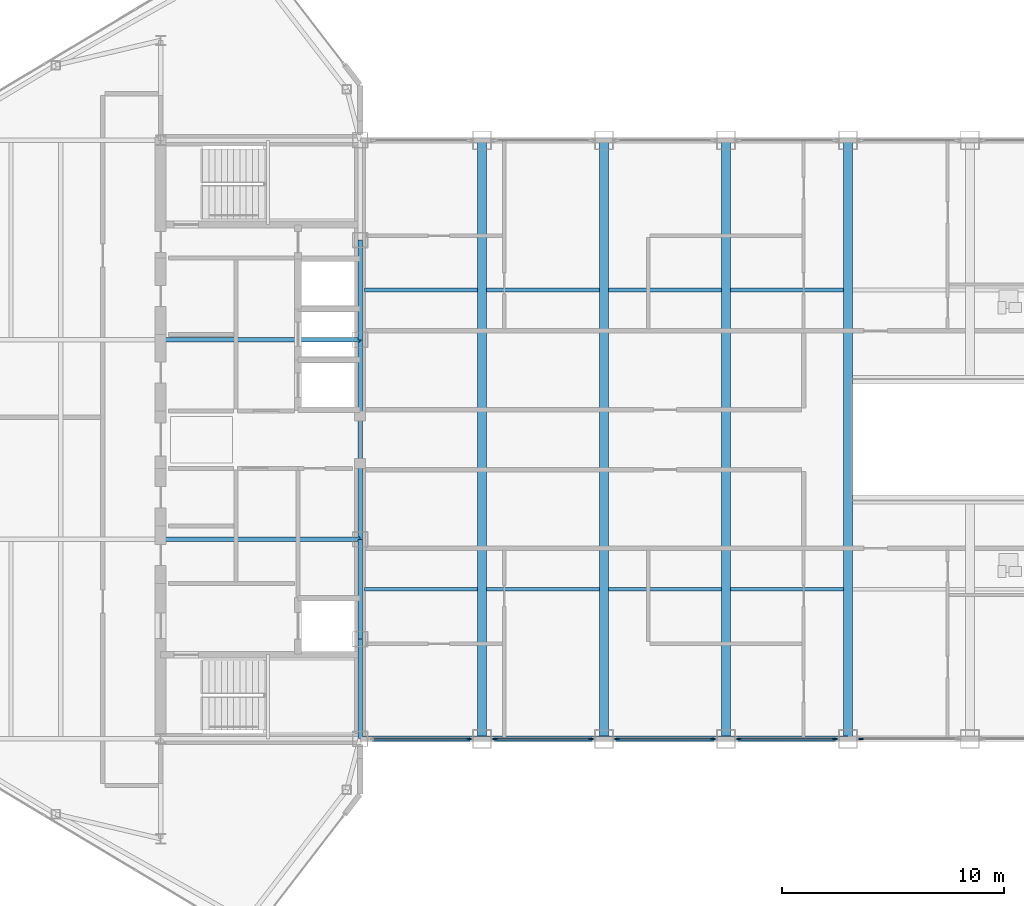
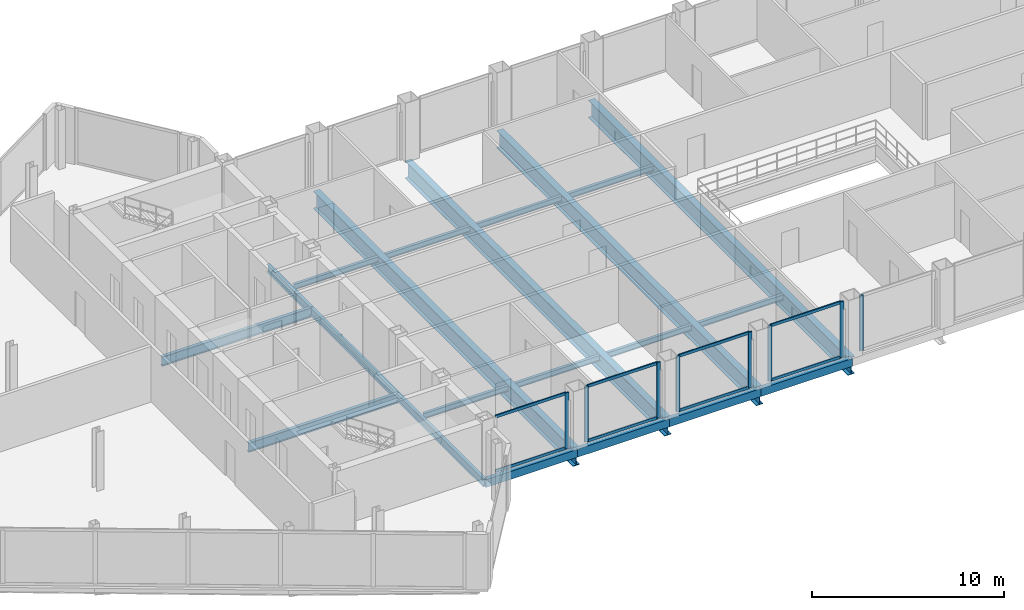
# One storey, part 10 of 29: 22 beams, 16 members, 5 elements without a shape of their own.
"""IFC4 building model written with IfcOpenShell, lengths in metres."""

from ifc_helpers import new_model, si_unit, direction, frame, origin, origin_2d, place, context, subcontext, project, spatial, rectangle, hollow_rectangle, i_section, extrude, source, transform, mapped, material, layer, layer_set, material_profile, profile_set, type_object, type_shapes, element, aggregate, save


model = new_model("IFC4")

# Units and contexts
model_context = context("Model", 3, precision=1e-05, world=origin(), true_north=direction((0.0, 1.0)))
body_context = subcontext(model_context, "Body", "Model", "MODEL_VIEW")
ifc_project = project(units=[si_unit("LENGTHUNIT", "METRE"), si_unit("AREAUNIT", "SQUARE_METRE"), si_unit("VOLUMEUNIT", "CUBIC_METRE"), si_unit("PLANEANGLEUNIT", "RADIAN"), si_unit("MASSUNIT", "GRAM", prefix="KILO")], contexts=[model_context])

# Site, building, storey
site_placement = place(None, origin())
site = spatial("IfcSite", under=ifc_project, at=site_placement, CompositionType="ELEMENT")
building_placement = place(site_placement, origin())
building = spatial("IfcBuilding", under=site, at=building_placement, Name="Seokmaru Belvedere", CompositionType="ELEMENT")
storey_placement = place(building_placement, frame((0.0, 0.0, 258.14990234375)))
storey = spatial("IfcBuildingStorey", under=building, at=storey_placement, Name="L68", CompositionType="ELEMENT", Elevation=258.14990234375)

# Beams
ifc_material_1 = material(Name="Steel SM355 (355 MPa)", Category="steel")
ifc_material_profile_1 = material_profile(ifc_material_1, i_section(OverallWidth=0.199951171875, OverallDepth=0.5, WebThickness=0.010009765625, FlangeThickness=0.01611328125, at=origin_2d()), Name="H-500x200x10x16")
ifc_profile_set_1 = profile_set([ifc_material_profile_1], Name="Steel SM355 (355 MPa)")
beam_type_1 = type_object("IfcBeamType", Name="Perimeter Spandrel Beam H-500", PredefinedType="SPANDREL", material=ifc_profile_set_1)
shared_shape_1 = source(origin(), body_context, "Body", "SweptSolid", [
    extrude(i_section(OverallWidth=0.199951171875, OverallDepth=0.5, WebThickness=0.010009765625, FlangeThickness=0.01611328125, at=origin_2d()), origin(), (0.0, 0.0, 1.0), 4.5),
])
for number, where, z_axis, x_axis, name in (
    (1, (-27.5, -13.5, -0.469970703125), (0.0, 1.0, 0.0), (-1.0, 0.0, 0.0), "L68 W Portal Spine Spandrel 1"),
    (2, (-27.5, -9.0, -0.469970703125), (0.0, 1.0, 0.0), (-1.0, 0.0, 0.0), "L68 W Portal Spine Spandrel 2"),
    (3, (-27.5, 4.5, -0.469970703125), (0.0, 1.0, 0.0), (-1.0, 0.0, 0.0), "L68 W Portal Spine Spandrel 4"),
):
    element("IfcBeam", number, at=place(storey_placement, frame(where, z_axis=z_axis, x_axis=x_axis)), inside=storey, type_object=beam_type_1, Name=name, PredefinedType="SPANDREL", context=body_context, shape_type="MappedRepresentation", body=[
        mapped(shared_shape_1, transform((0.0, 0.0, 0.0), scale=1.0)),
    ])
shared_shape_2 = source(origin(), body_context, "Body", "SweptSolid", [
    extrude(i_section(OverallWidth=0.199951171875, OverallDepth=0.5, WebThickness=0.010009765625, FlangeThickness=0.01611328125, at=origin_2d()), origin(), (0.0, 0.0, 1.0), 9.0),
])
type_shapes(beam_type_1, [shared_shape_1, shared_shape_2])
beam_placement = place(storey_placement, frame((-27.5, -4.5, -0.469970703125), z_axis=(0.0, 1.0, 0.0), x_axis=(-1.0, 0.0, 0.0)))
element("IfcBeam", 4, at=beam_placement, inside=storey, type_object=beam_type_1, Name="L68 W Portal Spine Spandrel 3", PredefinedType="SPANDREL", context=body_context, shape_type="MappedRepresentation", body=[
    mapped(shared_shape_2, transform((0.0, 0.0, 0.0), scale=1.0)),
])
ifc_material_profile_2 = material_profile(ifc_material_1, i_section(OverallWidth=0.199951171875, OverallDepth=0.60009765625, WebThickness=0.010986328125, FlangeThickness=0.01708984375, at=origin_2d()), Name="H-600x200x11x17")
ifc_profile_set_2 = profile_set([ifc_material_profile_2], Name="Steel SM355 (355 MPa)")
beam_type_2 = type_object("IfcBeamType", Name="Primary Floor Girder H-600", PredefinedType="BEAM", material=ifc_profile_set_2)
shared_shape_3 = source(origin(), body_context, "Body", "SweptSolid", [
    extrude(i_section(OverallWidth=0.199951171875, OverallDepth=0.60009765625, WebThickness=0.010986328125, FlangeThickness=0.01708984375, at=origin_2d()), origin(), (0.0, 0.0, 1.0), 9.0),
])
type_shapes(beam_type_2, [shared_shape_3])
for number, where, z_axis, x_axis, name in (
    (5, (-36.5, -4.5, -0.52001953125), (1.0, 0.0, 0.0), (0.0, 1.0, 0.0), "L68 W Core Tie Girder 2"),
    (6, (-36.5, 4.5, -0.52001953125), (1.0, 0.0, 0.0), (0.0, 1.0, 0.0), "L68 W Core Tie Girder 3"),
):
    element("IfcBeam", number, at=place(storey_placement, frame(where, z_axis=z_axis, x_axis=x_axis)), inside=storey, type_object=beam_type_2, Name=name, PredefinedType="BEAM", context=body_context, shape_type="MappedRepresentation", body=[
        mapped(shared_shape_3, transform((0.0, 0.0, 0.0), scale=1.0)),
    ])
ifc_material_profile_3 = material_profile(ifc_material_1, i_section(OverallWidth=0.39990234375, OverallDepth=1.10009765625, WebThickness=0.02001953125, FlangeThickness=0.033935546875, at=origin_2d()), Name="BH-1100x400x20x34")
ifc_profile_set_3 = profile_set([ifc_material_profile_3], Name="Steel SM355 (355 MPa)")
beam_type_3 = type_object("IfcBeamType", Name="Sky-Gate Transverse Girder BH-1100", PredefinedType="BEAM", material=ifc_profile_set_3)
shared_shape_4 = source(origin(), body_context, "Body", "SweptSolid", [
    extrude(i_section(OverallWidth=0.39990234375, OverallDepth=1.10009765625, WebThickness=0.02001953125, FlangeThickness=0.033935546875, at=origin_2d()), origin(), (0.0, 0.0, 1.0), 27.0),
])
type_shapes(beam_type_3, [shared_shape_4])
for number, where, z_axis, x_axis, name in (
    (7, (-22.0, -13.5, -0.77001953125), (0.0, 1.0, 0.0), (-1.0, 0.0, 0.0), "L68 Sky-Gate Transverse Girder 01"),
    (8, (-16.5, -13.5, -0.77001953125), (0.0, 1.0, 0.0), (-1.0, 0.0, 0.0), "L68 Sky-Gate Transverse Girder 02"),
    (9, (-11.0, -13.5, -0.77001953125), (0.0, 1.0, 0.0), (-1.0, 0.0, 0.0), "L68 Sky-Gate Transverse Girder 03"),
    (10, (-5.5, -13.5, -0.77001953125), (0.0, 1.0, 0.0), (-1.0, 0.0, 0.0), "L68 Sky-Gate Transverse Girder 04"),
):
    element("IfcBeam", number, at=place(storey_placement, frame(where, z_axis=z_axis, x_axis=x_axis)), inside=storey, type_object=beam_type_3, Name=name, PredefinedType="BEAM", context=body_context, shape_type="MappedRepresentation", body=[
        mapped(shared_shape_4, transform((0.0, 0.0, 0.0), scale=1.0)),
    ])
ifc_material_profile_4 = material_profile(ifc_material_1, i_section(OverallWidth=0.175048828125, OverallDepth=0.35009765625, WebThickness=0.007080078125, FlangeThickness=0.010986328125, at=origin_2d()), Name="H-350x175x7x11")
ifc_profile_set_4 = profile_set([ifc_material_profile_4], Name="Steel SM355 (355 MPa)")
beam_type_4 = type_object("IfcBeamType", Name="Secondary Floor Joist H-300", PredefinedType="JOIST", material=ifc_profile_set_4)
shared_shape_5 = source(origin(), body_context, "Body", "SweptSolid", [
    extrude(i_section(OverallWidth=0.175048828125, OverallDepth=0.35009765625, WebThickness=0.007080078125, FlangeThickness=0.010986328125, at=origin_2d()), origin(), (0.0, 0.0, 1.0), 5.08984375),
])
type_shapes(beam_type_4, [shared_shape_5])
for number, where, z_axis, x_axis, name in (
    (11, (-27.294921875, -6.75, -0.39501953125), (1.0, 0.0, 0.0), (0.0, 1.0, 0.0), "L68 Sky-Gate Secondary Joist S-01"),
    (12, (-21.794921875, -6.75, -0.39501953125), (1.0, 0.0, 0.0), (0.0, 1.0, 0.0), "L68 Sky-Gate Secondary Joist S-02"),
    (13, (-16.294921875, -6.75, -0.39501953125), (1.0, 0.0, 0.0), (0.0, 1.0, 0.0), "L68 Sky-Gate Secondary Joist S-03"),
    (14, (-10.794921875, -6.75, -0.39501953125), (1.0, 0.0, 0.0), (0.0, 1.0, 0.0), "L68 Sky-Gate Secondary Joist S-04"),
    (15, (-27.294921875, 6.75, -0.39501953125), (1.0, 0.0, 0.0), (0.0, 1.0, 0.0), "L68 Sky-Gate Secondary Joist N-01"),
    (16, (-21.794921875, 6.75, -0.39501953125), (1.0, 0.0, 0.0), (0.0, 1.0, 0.0), "L68 Sky-Gate Secondary Joist N-02"),
    (17, (-16.294921875, 6.75, -0.39501953125), (1.0, 0.0, 0.0), (0.0, 1.0, 0.0), "L68 Sky-Gate Secondary Joist N-03"),
    (18, (-10.794921875, 6.75, -0.39501953125), (1.0, 0.0, 0.0), (0.0, 1.0, 0.0), "L68 Sky-Gate Secondary Joist N-04"),
):
    element("IfcBeam", number, at=place(storey_placement, frame(where, z_axis=z_axis, x_axis=x_axis)), inside=storey, type_object=beam_type_4, Name=name, PredefinedType="JOIST", context=body_context, shape_type="MappedRepresentation", body=[
        mapped(shared_shape_5, transform((0.0, 0.0, 0.0), scale=1.0)),
    ])
ifc_material_profile_5 = material_profile(ifc_material_1, hollow_rectangle(XDim=0.25, YDim=0.5, WallThickness=0.013916015625, at=origin_2d()), Name="RHS-500x250x14")
ifc_profile_set_5 = profile_set([ifc_material_profile_5], Name="Steel SM355 (355 MPa)")
beam_type_5 = type_object("IfcBeamType", Name="Bridge Edge Spandrel RHS-500", PredefinedType="SPANDREL", material=ifc_profile_set_5)
shared_shape_6 = source(origin(), body_context, "Body", "SweptSolid", [
    extrude(hollow_rectangle(XDim=0.25, YDim=0.5, WallThickness=0.013916015625, at=origin_2d()), origin(), (0.0, 0.0, 1.0), 5.5),
])
type_shapes(beam_type_5, [shared_shape_6])
for number, where, z_axis, x_axis, name in (
    (19, (-27.5, -13.5, -0.469970703125), (1.0, 0.0, 0.0), (0.0, 1.0, 0.0), "L68 Sky-Gate Bridge Edge Girder S-01"),
    (20, (-22.0, -13.5, -0.469970703125), (1.0, 0.0, 0.0), (0.0, 1.0, 0.0), "L68 Sky-Gate Bridge Edge Girder S-02"),
    (21, (-16.5, -13.5, -0.469970703125), (1.0, 0.0, 0.0), (0.0, 1.0, 0.0), "L68 Sky-Gate Bridge Edge Girder S-03"),
    (22, (-11.0, -13.5, -0.469970703125), (1.0, 0.0, 0.0), (0.0, 1.0, 0.0), "L68 Sky-Gate Bridge Edge Girder S-04"),
):
    element("IfcBeam", number, at=place(storey_placement, frame(where, z_axis=z_axis, x_axis=x_axis)), inside=storey, type_object=beam_type_5, Name=name, PredefinedType="SPANDREL", context=body_context, shape_type="MappedRepresentation", body=[
        mapped(shared_shape_6, transform((0.0, 0.0, 0.0), scale=1.0)),
    ])

# Curtain wall, members
ifc_material_2 = material(Name="Bronze Triple Insulating Glass", Category="glass")
ifc_layer = layer(ifc_material_2, 0.219970703125)
ifc_layer_set = layer_set([ifc_layer], Name="Bronze Triple Insulating Glass")
curtain_wall_type = type_object("IfcCurtainWallType", Name="Sky-Gate Bridge Panorama Curtain Wall System CW-6", PredefinedType="NOTDEFINED", material=ifc_layer_set)
curtain_wall_1_placement = place(storey_placement, origin())
curtain_wall_1 = element("IfcCurtainWall", 23, at=curtain_wall_1_placement, inside=storey, type_object=curtain_wall_type, Name="L68 Curtain Wall BR_S01", PredefinedType="NOTDEFINED")
ifc_material_3 = material(Name="Anodised Bronze Aluminium", Category="aluminium")
ifc_material_profile_6 = material_profile(ifc_material_3, rectangle(XDim=0.074951171875, YDim=0.179931640625, at=origin_2d()), Name="CW-T-75x180")
ifc_profile_set_6 = profile_set([ifc_material_profile_6], Name="Anodised Bronze Aluminium")
member_type_1 = type_object("IfcMemberType", Name="Bronze Unitised Transom 75x180", PredefinedType="USERDEFINED", material=ifc_profile_set_6)
shared_shape_7 = source(origin(), body_context, "Body", "SweptSolid", [
    extrude(rectangle(XDim=0.074951171875, YDim=0.179931640625, at=origin_2d()), origin(), (0.0, 0.0, 1.0), 4.240234375),
])
type_shapes(member_type_1, [shared_shape_7])
member_1_placement = place(storey_placement, frame((-26.8701171875, -13.5, 0.03759765625), z_axis=(1.0, 0.0, 0.0), x_axis=(0.0, 1.0, 0.0)))
member_1 = element("IfcMember", 24, at=member_1_placement, type_object=member_type_1, Name="CW:L68:BR_S01 Continuous Transom 1", ObjectType="TRANSOM", PredefinedType="USERDEFINED", context=body_context, shape_type="MappedRepresentation", body=[
    mapped(shared_shape_7, transform((0.0, 0.0, 0.0), scale=1.0)),
])
member_2_placement = place(storey_placement, frame((-26.8701171875, -13.5, 3.49267578125), z_axis=(1.0, 0.0, 0.0), x_axis=(0.0, 1.0, 0.0)))
member_2 = element("IfcMember", 25, at=member_2_placement, type_object=member_type_1, Name="CW:L68:BR_S01 Continuous Transom 2", ObjectType="TRANSOM", PredefinedType="USERDEFINED", context=body_context, shape_type="MappedRepresentation", body=[
    mapped(shared_shape_7, transform((0.0, 0.0, 0.0), scale=1.0)),
])

curtain_wall_2_placement = place(storey_placement, origin())
curtain_wall_2 = element("IfcCurtainWall", 26, at=curtain_wall_2_placement, inside=storey, type_object=curtain_wall_type, Name="L68 Curtain Wall BR_S02", PredefinedType="NOTDEFINED")
member_3_placement = place(storey_placement, frame((-21.3701171875, -13.5, 0.03759765625), z_axis=(1.0, 0.0, 0.0), x_axis=(0.0, 1.0, 0.0)))
member_3 = element("IfcMember", 27, at=member_3_placement, type_object=member_type_1, Name="CW:L68:BR_S02 Continuous Transom 1", ObjectType="TRANSOM", PredefinedType="USERDEFINED", context=body_context, shape_type="MappedRepresentation", body=[
    mapped(shared_shape_7, transform((0.0, 0.0, 0.0), scale=1.0)),
])
member_4_placement = place(storey_placement, frame((-21.3701171875, -13.5, 3.49267578125), z_axis=(1.0, 0.0, 0.0), x_axis=(0.0, 1.0, 0.0)))
member_4 = element("IfcMember", 28, at=member_4_placement, type_object=member_type_1, Name="CW:L68:BR_S02 Continuous Transom 2", ObjectType="TRANSOM", PredefinedType="USERDEFINED", context=body_context, shape_type="MappedRepresentation", body=[
    mapped(shared_shape_7, transform((0.0, 0.0, 0.0), scale=1.0)),
])

curtain_wall_3_placement = place(storey_placement, origin())
curtain_wall_3 = element("IfcCurtainWall", 29, at=curtain_wall_3_placement, inside=storey, type_object=curtain_wall_type, Name="L68 Curtain Wall BR_S03", PredefinedType="NOTDEFINED")
member_5_placement = place(storey_placement, frame((-15.8701171875, -13.5, 0.03759765625), z_axis=(1.0, 0.0, 0.0), x_axis=(0.0, 1.0, 0.0)))
member_5 = element("IfcMember", 30, at=member_5_placement, type_object=member_type_1, Name="CW:L68:BR_S03 Continuous Transom 1", ObjectType="TRANSOM", PredefinedType="USERDEFINED", context=body_context, shape_type="MappedRepresentation", body=[
    mapped(shared_shape_7, transform((0.0, 0.0, 0.0), scale=1.0)),
])
member_6_placement = place(storey_placement, frame((-15.8701171875, -13.5, 3.49267578125), z_axis=(1.0, 0.0, 0.0), x_axis=(0.0, 1.0, 0.0)))
member_6 = element("IfcMember", 31, at=member_6_placement, type_object=member_type_1, Name="CW:L68:BR_S03 Continuous Transom 2", ObjectType="TRANSOM", PredefinedType="USERDEFINED", context=body_context, shape_type="MappedRepresentation", body=[
    mapped(shared_shape_7, transform((0.0, 0.0, 0.0), scale=1.0)),
])

curtain_wall_4_placement = place(storey_placement, origin())
curtain_wall_4 = element("IfcCurtainWall", 32, at=curtain_wall_4_placement, inside=storey, type_object=curtain_wall_type, Name="L68 Curtain Wall BR_S04", PredefinedType="NOTDEFINED")
member_7_placement = place(storey_placement, frame((-10.3701171875, -13.5, 0.03759765625), z_axis=(1.0, 0.0, 0.0), x_axis=(0.0, 1.0, 0.0)))
member_7 = element("IfcMember", 33, at=member_7_placement, type_object=member_type_1, Name="CW:L68:BR_S04 Continuous Transom 1", ObjectType="TRANSOM", PredefinedType="USERDEFINED", context=body_context, shape_type="MappedRepresentation", body=[
    mapped(shared_shape_7, transform((0.0, 0.0, 0.0), scale=1.0)),
])
member_8_placement = place(storey_placement, frame((-10.3701171875, -13.5, 3.49267578125), z_axis=(1.0, 0.0, 0.0), x_axis=(0.0, 1.0, 0.0)))
member_8 = element("IfcMember", 34, at=member_8_placement, type_object=member_type_1, Name="CW:L68:BR_S04 Continuous Transom 2", ObjectType="TRANSOM", PredefinedType="USERDEFINED", context=body_context, shape_type="MappedRepresentation", body=[
    mapped(shared_shape_7, transform((0.0, 0.0, 0.0), scale=1.0)),
])

# Member
ifc_material_profile_7 = material_profile(ifc_material_3, rectangle(XDim=0.080078125, YDim=0.219970703125, at=origin_2d()), Name="CW-M-80x220")
ifc_profile_set_7 = profile_set([ifc_material_profile_7], Name="Anodised Bronze Aluminium")
member_type_2 = type_object("IfcMemberType", Name="Bronze Unitised Mullion 80x220", PredefinedType="MULLION", material=ifc_profile_set_7)
shared_shape_8 = source(origin(), body_context, "Body", "SweptSolid", [
    extrude(rectangle(XDim=0.080078125, YDim=0.219970703125, at=origin_2d()), origin(), (0.0, 0.0, 1.0), 3.530029296875),
])
type_shapes(member_type_2, [shared_shape_8])
member_9_placement = place(storey_placement, frame((-22.590087890625, -13.5, 0.0), z_axis=(0.0, 0.0, 1.0), x_axis=(0.0, 1.0, 0.0)))
member_9 = element("IfcMember", 35, at=member_9_placement, type_object=member_type_2, Name="CW:L68:BR_S01 Mullion 2", PredefinedType="MULLION", context=body_context, shape_type="MappedRepresentation", body=[
    mapped(shared_shape_8, transform((0.0, 0.0, 0.0), scale=1.0)),
])

aggregate(curtain_wall_1, [member_9, member_1, member_2])

member_10_placement = place(storey_placement, frame((-21.409912109375, -13.5, 0.0), z_axis=(0.0, 0.0, 1.0), x_axis=(0.0, 1.0, 0.0)))
member_10 = element("IfcMember", 36, at=member_10_placement, type_object=member_type_2, Name="CW:L68:BR_S02 Mullion 1", PredefinedType="MULLION", context=body_context, shape_type="MappedRepresentation", body=[
    mapped(shared_shape_8, transform((0.0, 0.0, 0.0), scale=1.0)),
])

member_11_placement = place(storey_placement, frame((-17.090087890625, -13.5, 0.0), z_axis=(0.0, 0.0, 1.0), x_axis=(0.0, 1.0, 0.0)))
member_11 = element("IfcMember", 37, at=member_11_placement, type_object=member_type_2, Name="CW:L68:BR_S02 Mullion 2", PredefinedType="MULLION", context=body_context, shape_type="MappedRepresentation", body=[
    mapped(shared_shape_8, transform((0.0, 0.0, 0.0), scale=1.0)),
])

aggregate(curtain_wall_2, [member_10, member_11, member_3, member_4])

member_12_placement = place(storey_placement, frame((-15.909912109375, -13.5, 0.0), z_axis=(0.0, 0.0, 1.0), x_axis=(0.0, 1.0, 0.0)))
member_12 = element("IfcMember", 38, at=member_12_placement, type_object=member_type_2, Name="CW:L68:BR_S03 Mullion 1", PredefinedType="MULLION", context=body_context, shape_type="MappedRepresentation", body=[
    mapped(shared_shape_8, transform((0.0, 0.0, 0.0), scale=1.0)),
])

member_13_placement = place(storey_placement, frame((-11.590087890625, -13.5, 0.0), z_axis=(0.0, 0.0, 1.0), x_axis=(0.0, 1.0, 0.0)))
member_13 = element("IfcMember", 39, at=member_13_placement, type_object=member_type_2, Name="CW:L68:BR_S03 Mullion 2", PredefinedType="MULLION", context=body_context, shape_type="MappedRepresentation", body=[
    mapped(shared_shape_8, transform((0.0, 0.0, 0.0), scale=1.0)),
])

aggregate(curtain_wall_3, [member_12, member_13, member_5, member_6])

member_14_placement = place(storey_placement, frame((-10.409912109375, -13.5, 0.0), z_axis=(0.0, 0.0, 1.0), x_axis=(0.0, 1.0, 0.0)))
member_14 = element("IfcMember", 40, at=member_14_placement, type_object=member_type_2, Name="CW:L68:BR_S04 Mullion 1", PredefinedType="MULLION", context=body_context, shape_type="MappedRepresentation", body=[
    mapped(shared_shape_8, transform((0.0, 0.0, 0.0), scale=1.0)),
])

member_15_placement = place(storey_placement, frame((-6.090087890625, -13.5, 0.0), z_axis=(0.0, 0.0, 1.0), x_axis=(0.0, 1.0, 0.0)))
member_15 = element("IfcMember", 41, at=member_15_placement, type_object=member_type_2, Name="CW:L68:BR_S04 Mullion 2", PredefinedType="MULLION", context=body_context, shape_type="MappedRepresentation", body=[
    mapped(shared_shape_8, transform((0.0, 0.0, 0.0), scale=1.0)),
])

aggregate(curtain_wall_4, [member_14, member_15, member_7, member_8])

# Curtain wall, member
curtain_wall_5_placement = place(storey_placement, origin())
curtain_wall_5 = element("IfcCurtainWall", 42, at=curtain_wall_5_placement, inside=storey, type_object=curtain_wall_type, Name="L68 Curtain Wall BR_S05", PredefinedType="NOTDEFINED")
member_16_placement = place(storey_placement, frame((-4.909912109375, -13.5, 0.0), z_axis=(0.0, 0.0, 1.0), x_axis=(0.0, 1.0, 0.0)))
member_16 = element("IfcMember", 43, at=member_16_placement, type_object=member_type_2, Name="CW:L68:BR_S05 Mullion 1", PredefinedType="MULLION", context=body_context, shape_type="MappedRepresentation", body=[
    mapped(shared_shape_8, transform((0.0, 0.0, 0.0), scale=1.0)),
])
aggregate(curtain_wall_5, [member_16])

save(model, "model.ifc")
